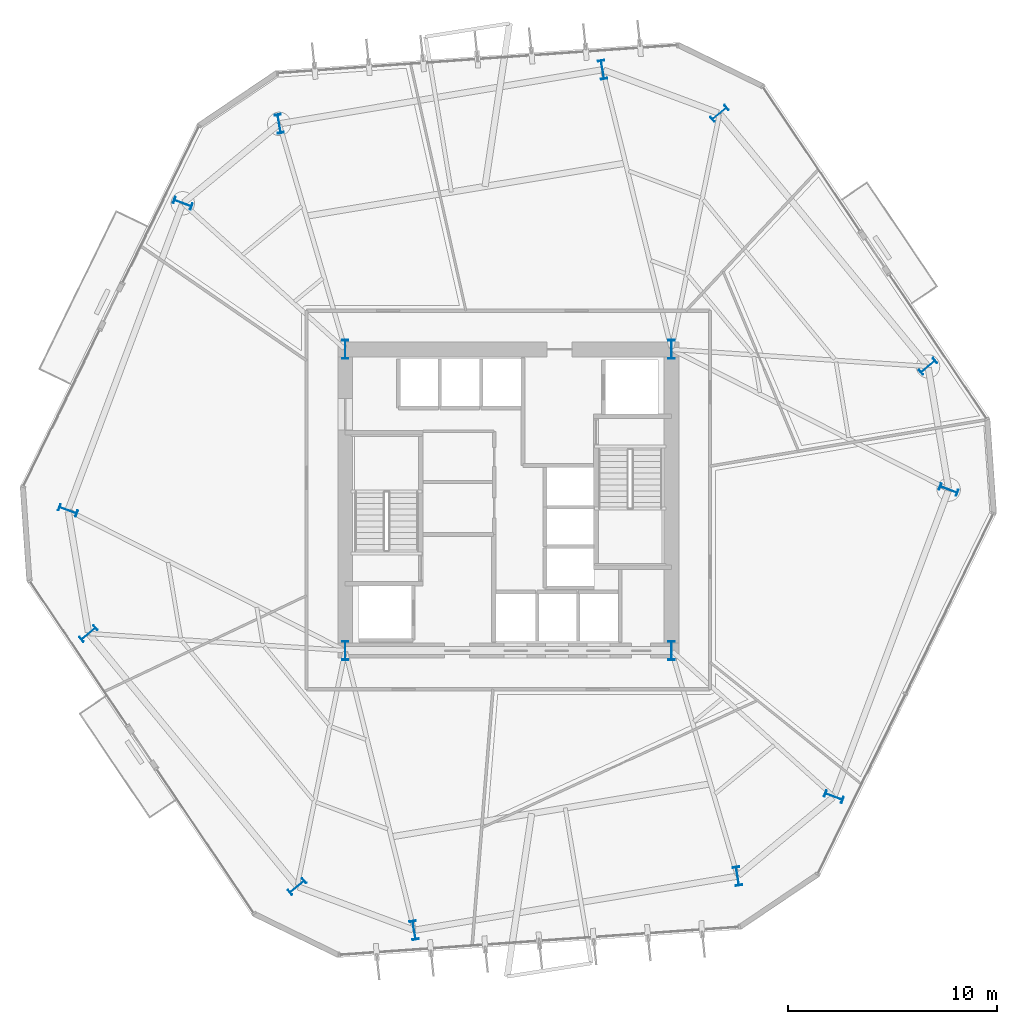
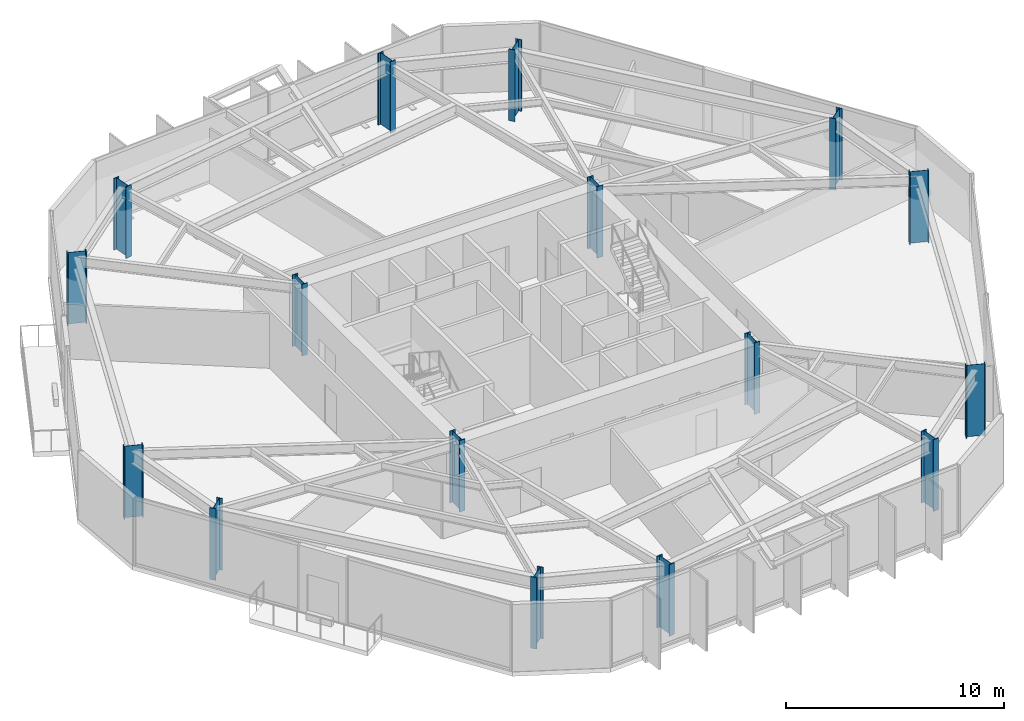
# One storey, part 1 of 10: 16 columns.
"""IFC4 building model written with IfcOpenShell, lengths in metres."""

from ifc_helpers import new_model, si_unit, direction, frame, origin, origin_2d, place, context, subcontext, project, spatial, i_section, extrude, material, material_profile, profile_set, type_object, element, save


model = new_model("IFC4")

# Units and contexts
model_context = context("Model", 3, precision=1e-05, world=origin(), true_north=direction((0.0, 1.0)))
body_context = subcontext(model_context, "Body", "Model", "MODEL_VIEW")
ifc_project = project(units=[si_unit("LENGTHUNIT", "METRE"), si_unit("AREAUNIT", "SQUARE_METRE"), si_unit("VOLUMEUNIT", "CUBIC_METRE"), si_unit("PLANEANGLEUNIT", "RADIAN"), si_unit("MASSUNIT", "GRAM", prefix="KILO")], contexts=[model_context])

# Site, building, storey
site_placement = place(None, origin())
site = spatial("IfcSite", under=ifc_project, at=site_placement, CompositionType="ELEMENT")
building_placement = place(site_placement, origin())
building = spatial("IfcBuilding", under=site, at=building_placement, Name="Kranzbogen Civic Tower", CompositionType="ELEMENT")
storey_placement = place(building_placement, frame((0.0, 0.0, 36.0)))
storey = spatial("IfcBuildingStorey", under=building, at=storey_placement, Name="L08", CompositionType="ELEMENT", Elevation=36.0)

# Columns
ifc_material = material(Name="Steel S460", Category="steel")
ifc_material_profile = material_profile(ifc_material, i_section(OverallWidth=0.302001953125, OverallDepth=0.909912109375, WebThickness=0.02099609375, FlangeThickness=0.0400390625, at=origin_2d()), Name="HEM 900")
ifc_profile_set = profile_set([ifc_material_profile], Name="Steel S460")
column_type = type_object("IfcColumnType", Name="Structural Column HEM 900", PredefinedType="COLUMN", material=ifc_profile_set)
for number, where, z_axis, x_axis, name in (
    (1, (17.199951171875, 17.800048828125, 0.0), (0.0, 0.0, 1.0), (1.0, 0.0, 0.0), "L08 composite core corner column 1"),
    (2, (32.800048828125, 17.800048828125, 0.0), (0.0, 0.0, 1.0), (1.0, 0.0, 0.0), "L08 composite core corner column 2"),
    (3, (32.800048828125, 32.199951171875, 0.0), (0.0, 0.0, 1.0), (1.0, 0.0, 0.0), "L08 composite core corner column 3"),
    (4, (17.199951171875, 32.199951171875, 0.0), (0.0, 0.0, 1.0), (1.0, 0.0, 0.0), "L08 composite core corner column 4"),
    (5, (45.072021484375, 31.385986328125, 0.0), (0.0, 0.0, 1.0), (-0.636078220278, 0.771624583388, 0.0), "L08 tower perimeter tube column 01"),
    (6, (35.09912109375, 43.48388671875, 0.0), (0.0, 0.0, 1.0), (-0.636078220278, 0.771624583388, 0.0), "L08 tower perimeter tube column 02"),
    (7, (29.5048828125, 45.575927734375, 0.0), (0.0, 0.0, 1.0), (0.986285601537, 0.165047605861, 0.0), "L08 tower perimeter tube column 03"),
    (8, (14.0419921875, 42.988037109375, 0.0), (0.0, 0.0, 1.0), (0.986285601537, 0.165047605861, 0.0), "L08 tower perimeter tube column 04"),
    (9, (9.43310546875, 39.18896484375, 0.0), (0.0, 0.0, 1.0), (0.350207381259, 0.936672189248, 0.0), "L08 tower perimeter tube column 05"),
    (10, (3.943115234375, 24.50390625, 0.0), (0.0, 0.0, 1.0), (0.350207381259, 0.936672189248, 0.0), "L08 tower perimeter tube column 06"),
    (11, (4.927978515625, 18.614013671875, 0.0), (0.0, 0.0, 1.0), (-0.636078220278, 0.771624583388, 0.0), "L08 tower perimeter tube column 07"),
    (12, (14.90087890625, 6.51611328125, 0.0), (0.0, 0.0, 1.0), (-0.636078220278, 0.771624583388, 0.0), "L08 tower perimeter tube column 08"),
    (13, (20.4951171875, 4.424072265625, 0.0), (0.0, 0.0, 1.0), (0.986285601537, 0.165047605861, 0.0), "L08 tower perimeter tube column 09"),
    (14, (35.9580078125, 7.011962890625, 0.0), (0.0, 0.0, 1.0), (0.986285601537, 0.165047605861, 0.0), "L08 tower perimeter tube column 10"),
    (15, (40.56689453125, 10.81103515625, 0.0), (0.0, 0.0, 1.0), (0.350207381259, 0.936672189248, 0.0), "L08 tower perimeter tube column 11"),
    (16, (46.056884765625, 25.49609375, 0.0), (0.0, 0.0, 1.0), (0.350207381259, 0.936672189248, 0.0), "L08 tower perimeter tube column 12"),
):
    element("IfcColumn", number, at=place(storey_placement, frame(where, z_axis=z_axis, x_axis=x_axis)), inside=storey, type_object=column_type, Name=name, PredefinedType="COLUMN", context=body_context, shape_type="SweptSolid", body=[
        extrude(i_section(OverallWidth=0.302001953125, OverallDepth=0.909912109375, WebThickness=0.02099609375, FlangeThickness=0.0400390625, at=origin_2d()), origin(), (0.0, 0.0, 1.0), 4.0),
    ])

save(model, "model.ifc")
